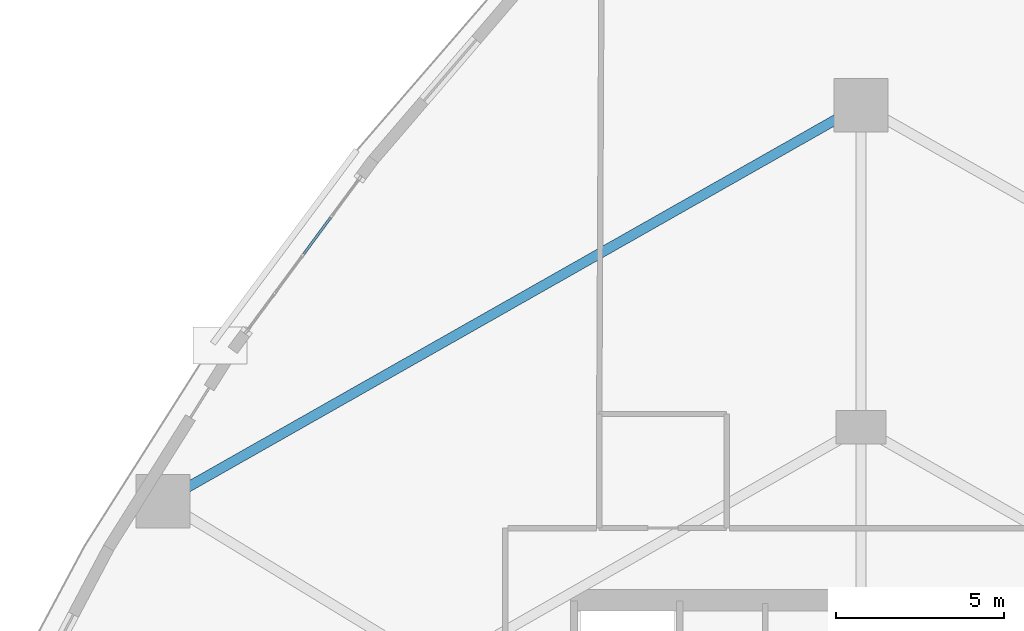
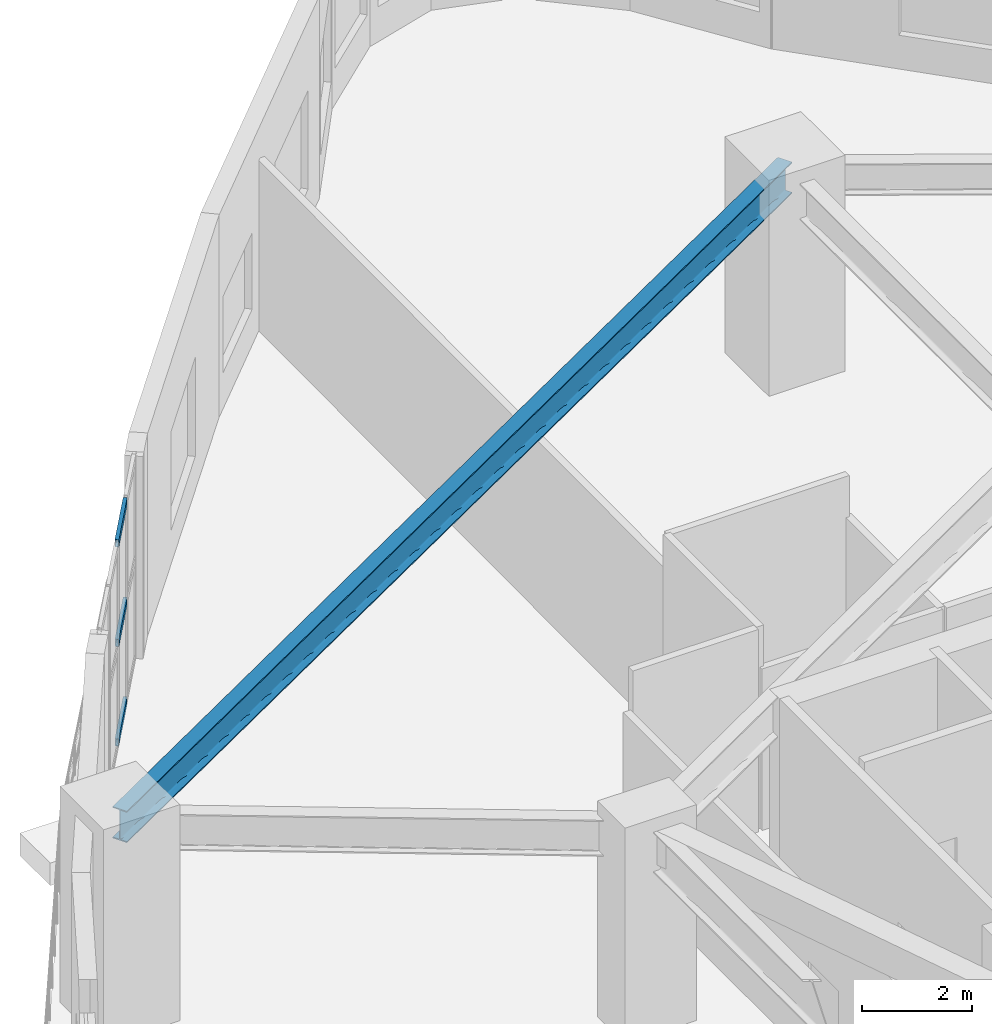
# One storey, part 11 of 23: 3 members, 1 beam, 1 element without a shape of its own.
"""IFC4 building model written with IfcOpenShell, lengths in metres."""

from ifc_helpers import new_model, si_unit, direction, frame, origin, origin_2d, place, context, subcontext, project, spatial, hollow_rectangle, i_section, extrude, material, layer, layer_set, material_profile, profile_set, type_object, element, aggregate, save


model = new_model("IFC4")

# Units and contexts
model_context = context("Model", 3, precision=1e-05, world=origin(), true_north=direction((0.0, 1.0)))
body_context = subcontext(model_context, "Body", "Model", "MODEL_VIEW")
ifc_project = project(units=[si_unit("LENGTHUNIT", "METRE"), si_unit("AREAUNIT", "SQUARE_METRE"), si_unit("VOLUMEUNIT", "CUBIC_METRE"), si_unit("PLANEANGLEUNIT", "RADIAN"), si_unit("MASSUNIT", "GRAM", prefix="KILO")], contexts=[model_context])

# Site, building, storey
site_placement = place(None, origin())
site = spatial("IfcSite", under=ifc_project, at=site_placement, CompositionType="ELEMENT")
building_placement = place(site_placement, origin())
building = spatial("IfcBuilding", under=site, at=building_placement, Name="Miruveldt Soraemaru", CompositionType="ELEMENT")
storey_placement = place(building_placement, frame((0.0, 0.0, 9.60009765625)))
storey = spatial("IfcBuildingStorey", under=building, at=storey_placement, Name="L03", CompositionType="ELEMENT", Elevation=9.60009765625)

# Beam
ifc_material_1 = material(Name="Steel SM355 (355 MPa)", Category="steel")
ifc_material_profile_1 = material_profile(ifc_material_1, i_section(OverallWidth=0.300048828125, OverallDepth=0.699951171875, WebThickness=0.012939453125, FlangeThickness=0.02392578125, FilletRadius=0.028076171875, at=origin_2d()), Name="Steel SM355 (355 MPa)", Category="steel")
ifc_profile_set_1 = profile_set([ifc_material_profile_1], Name="Steel SM355 (355 MPa)")
beam_type = type_object("IfcBeamType", Name="BM-ST-H700", PredefinedType="BEAM", material=ifc_profile_set_1)
beam_placement = place(storey_placement, frame((23.199951171875, 55.39990234375, 4.14990234375), z_axis=(0.869782551993, 0.493435215858, 0.0), x_axis=(-0.493435215858, 0.869782551993, 0.0)))
element("IfcBeam", 1, at=beam_placement, inside=storey, type_object=beam_type, Name="L03 Podium Ring Girder 6", PredefinedType="BEAM", context=body_context, shape_type="SweptSolid", body=[
    extrude(i_section(OverallWidth=0.300048828125, OverallDepth=0.699951171875, WebThickness=0.012939453125, FlangeThickness=0.02392578125, FilletRadius=0.028076171875, at=origin_2d()), origin(), (0.0, 0.0, 1.0), 23.9140625),
])

# Curtain wall, members
ifc_material_2 = material(Name="Anodised aluminium EN AW-6063 T6", Category="aluminium")
ifc_layer = layer(ifc_material_2, 0.219970703125, Name="Anodised aluminium EN AW-6063 T6", Category="aluminium")
ifc_layer_set = layer_set([ifc_layer], Name="Anodised aluminium EN AW-6063 T6")
curtain_wall_type = type_object("IfcCurtainWallType", Name="CW-SYS-2", PredefinedType="USERDEFINED", material=ifc_layer_set)
curtain_wall_placement = place(storey_placement, origin())
curtain_wall = element("IfcCurtainWall", 2, at=curtain_wall_placement, inside=storey, type_object=curtain_wall_type, Name="L03 Curtain Wall Bay 9", ObjectType="STOREFRONT", PredefinedType="USERDEFINED")
ifc_material_profile_2 = material_profile(ifc_material_2, hollow_rectangle(XDim=0.074951171875, YDim=0.1650390625, WallThickness=0.00390625, at=origin_2d()), Name="Anodised aluminium EN AW-6063 T6", Category="aluminium")
ifc_profile_set_2 = profile_set([ifc_material_profile_2], Name="Anodised aluminium EN AW-6063 T6")
member_type = type_object("IfcMemberType", Name="CWT-2", PredefinedType="USERDEFINED", material=ifc_profile_set_2)
member_1_placement = place(storey_placement, frame((28.197021484375, 63.858642578125, 0.037353515625), z_axis=(-0.593698893065, -0.804687283591, 0.0), x_axis=(0.804687283591, -0.593698893065, 0.0)))
member_1 = element("IfcMember", 3, at=member_1_placement, type_object=member_type, Name="CW-2 transom 2.1", ObjectType="TRANSOM", PredefinedType="USERDEFINED", context=body_context, shape_type="SweptSolid", body=[
    extrude(hollow_rectangle(XDim=0.074951171875, YDim=0.1650390625, WallThickness=0.00390625, at=origin_2d()), origin(), (0.0, 0.0, 1.0), 1.34912109375),
])
member_2_placement = place(storey_placement, frame((28.197021484375, 63.858642578125, 2.25), z_axis=(-0.593698893065, -0.804687283591, 0.0), x_axis=(0.804687283591, -0.593698893065, 0.0)))
member_2 = element("IfcMember", 4, at=member_2_placement, type_object=member_type, Name="CW-2 transom 2.2", ObjectType="TRANSOM", PredefinedType="USERDEFINED", context=body_context, shape_type="SweptSolid", body=[
    extrude(hollow_rectangle(XDim=0.074951171875, YDim=0.1650390625, WallThickness=0.00390625, at=origin_2d()), origin(), (0.0, 0.0, 1.0), 1.34912109375),
])
member_3_placement = place(storey_placement, frame((28.197021484375, 63.858642578125, 4.46240234375), z_axis=(-0.593698893065, -0.804687283591, 0.0), x_axis=(0.804687283591, -0.593698893065, 0.0)))
member_3 = element("IfcMember", 5, at=member_3_placement, type_object=member_type, Name="CW-2 transom 2.3", ObjectType="TRANSOM", PredefinedType="USERDEFINED", context=body_context, shape_type="SweptSolid", body=[
    extrude(hollow_rectangle(XDim=0.074951171875, YDim=0.1650390625, WallThickness=0.00390625, at=origin_2d()), origin(), (0.0, 0.0, 1.0), 1.34912109375),
])
aggregate(curtain_wall, [member_1, member_2, member_3])

save(model, "model.ifc")
